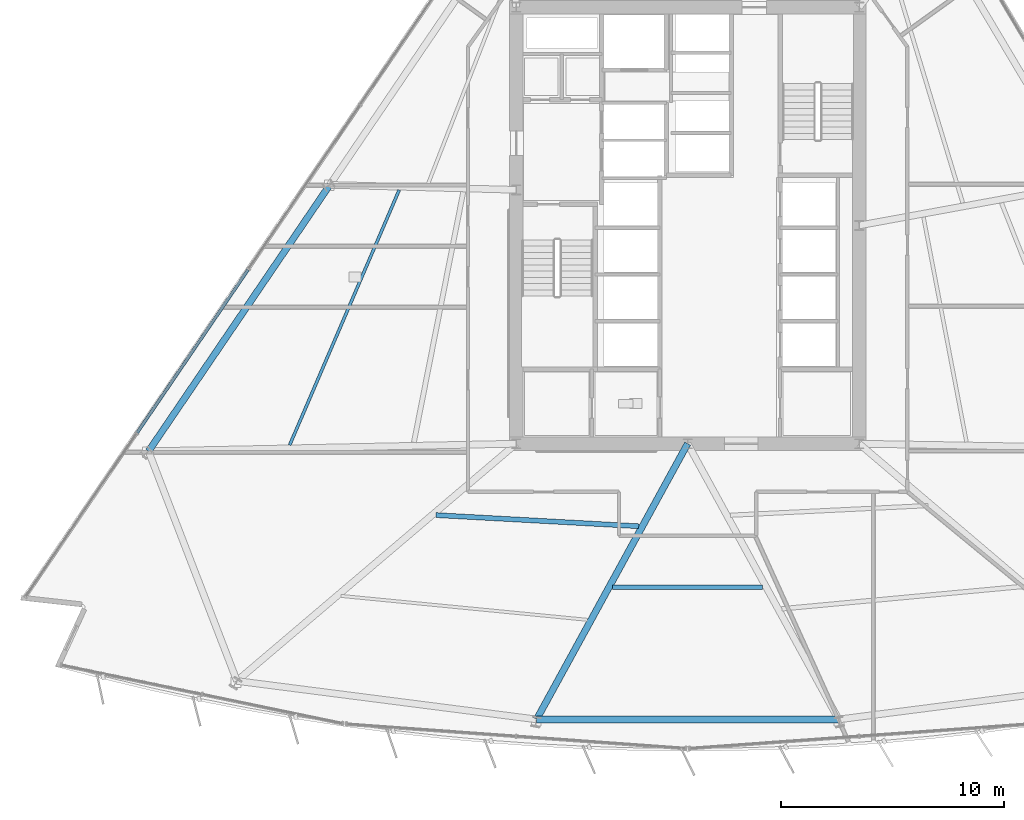
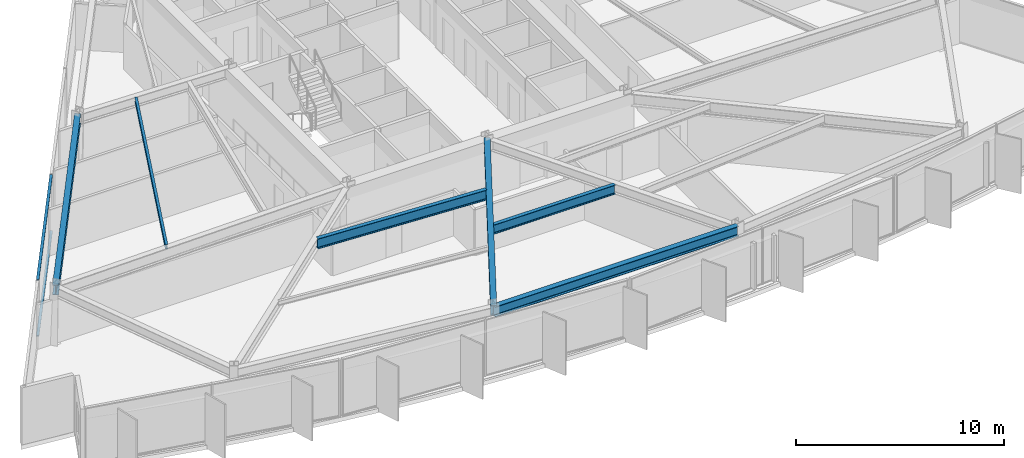
# One storey, part 3 of 16: 6 beams, 2 members, 1 element without a shape of its own.
"""IFC4 building model written with IfcOpenShell, lengths in metres."""

from ifc_helpers import new_model, si_unit, direction, frame, origin, origin_2d, place, context, subcontext, project, spatial, rectangle, i_section, extrude, material, material_profile, profile_set, type_object, element, aggregate, save


model = new_model("IFC4")

# Units and contexts
model_context = context("Model", 3, precision=1e-05, world=origin(), true_north=direction((0.0, 1.0)))
body_context = subcontext(model_context, "Body", "Model", "MODEL_VIEW")
ifc_project = project(units=[si_unit("LENGTHUNIT", "METRE"), si_unit("AREAUNIT", "SQUARE_METRE"), si_unit("VOLUMEUNIT", "CUBIC_METRE"), si_unit("PLANEANGLEUNIT", "RADIAN"), si_unit("MASSUNIT", "GRAM", prefix="KILO")], contexts=[model_context])

# Site, building, storey
site_placement = place(None, origin())
site = spatial("IfcSite", under=ifc_project, at=site_placement, CompositionType="ELEMENT")
building_placement = place(site_placement, origin())
building = spatial("IfcBuilding", under=site, at=building_placement, Name="Savorim Split Tower", CompositionType="ELEMENT")
storey_placement = place(building_placement, frame((0.0, 0.0, 30.0)))
storey = spatial("IfcBuildingStorey", under=building, at=storey_placement, Name="L07", CompositionType="ELEMENT", Elevation=30.0)

# Beams
ifc_material_1 = material(Name="Steel S355", Category="steel")
ifc_material_profile_1 = material_profile(ifc_material_1, i_section(OverallWidth=0.135009765625, OverallDepth=0.27001953125, WebThickness=0.006591796875, FlangeThickness=0.01025390625, FilletRadius=0.014892578125, at=origin_2d()), Name="IPE 270")
ifc_profile_set_1 = profile_set([ifc_material_profile_1], Name="Steel S355")
beam_type_1 = type_object("IfcBeamType", Name="BM-JST-IPE270", PredefinedType="JOIST", material=ifc_profile_set_1)
beam_1_placement = place(storey_placement, frame((-12.9501953125, 1.99072265625, 3.215087890625), z_axis=(-0.394590505856, -0.918857079577, 0.0), x_axis=(0.918857079577, -0.394590505856, 0.0)))
element("IfcBeam", 1, at=beam_1_placement, inside=storey, type_object=beam_type_1, Name="L07 Secondary Floor Joist JS-10", PredefinedType="JOIST", context=body_context, shape_type="SweptSolid", body=[
    extrude(i_section(OverallWidth=0.135009765625, OverallDepth=0.27001953125, WebThickness=0.006591796875, FlangeThickness=0.01025390625, FilletRadius=0.014892578125, at=origin_2d()), origin(), (0.0, 0.0, 1.0), 12.46533203125),
])
ifc_material_profile_2 = material_profile(ifc_material_1, i_section(OverallWidth=0.2099609375, OverallDepth=0.550048828125, WebThickness=0.010986328125, FlangeThickness=0.01708984375, FilletRadius=0.02392578125, at=origin_2d()), Name="IPE 550")
ifc_profile_set_2 = profile_set([ifc_material_profile_2], Name="Steel S355")
beam_type_2 = type_object("IfcBeamType", Name="BM-JST-IPE550", PredefinedType="JOIST", material=ifc_profile_set_2)
beam_2_placement = place(storey_placement, frame((-3.36669921875, -15.8369140625, 3.074951171875), z_axis=(1.0, 0.0, 0.0), x_axis=(0.0, 1.0, 0.0)))
element("IfcBeam", 2, at=beam_2_placement, inside=storey, type_object=beam_type_2, Name="L07 Secondary Floor Joist JS-03", PredefinedType="JOIST", context=body_context, shape_type="SweptSolid", body=[
    extrude(i_section(OverallWidth=0.2099609375, OverallDepth=0.550048828125, WebThickness=0.010986328125, FlangeThickness=0.01708984375, FilletRadius=0.02392578125, at=origin_2d()), origin(), (0.0, 0.0, 1.0), 6.7333984375),
])
ifc_material_profile_3 = material_profile(ifc_material_1, i_section(OverallWidth=0.219970703125, OverallDepth=0.60009765625, WebThickness=0.011962890625, FlangeThickness=0.01904296875, FilletRadius=0.02392578125, at=origin_2d()), Name="IPE 600")
ifc_profile_set_3 = profile_set([ifc_material_profile_3], Name="Steel S355")
beam_type_3 = type_object("IfcBeamType", Name="BM-JST-IPE600", PredefinedType="JOIST", material=ifc_profile_set_3)
beam_3_placement = place(storey_placement, frame((-11.301025390625, -12.604248046875, 3.050048828125), z_axis=(0.998493204469, -0.054875501171, 0.0), x_axis=(0.054875501171, 0.998493204469, 0.0)))
element("IfcBeam", 3, at=beam_3_placement, inside=storey, type_object=beam_type_3, Name="L07 Secondary Floor Joist JS-02", PredefinedType="JOIST", context=body_context, shape_type="SweptSolid", body=[
    extrude(i_section(OverallWidth=0.219970703125, OverallDepth=0.60009765625, WebThickness=0.011962890625, FlangeThickness=0.01904296875, FilletRadius=0.02392578125, at=origin_2d()), origin(), (0.0, 0.0, 1.0), 9.120361328125),
])
ifc_material_profile_4 = material_profile(ifc_material_1, i_section(OverallWidth=0.300048828125, OverallDepth=0.60009765625, WebThickness=0.015380859375, FlangeThickness=0.030029296875, FilletRadius=0.027099609375, at=origin_2d()), Name="HEB 600")
ifc_profile_set_4 = profile_set([ifc_material_profile_4], Name="Steel S355")
beam_type_4 = type_object("IfcBeamType", Name="BM-PRI-HEB600", PredefinedType="BEAM", material=ifc_profile_set_4)
beam_4_placement = place(storey_placement, frame((-6.781982421875, -21.778564453125, 3.050048828125), z_axis=(0.480488547232, 0.877001001127, 0.0), x_axis=(-0.877001001127, 0.480488547232, 0.0)))
element("IfcBeam", 4, at=beam_4_placement, inside=storey, type_object=beam_type_4, Name="L07 Primary Floor Girder RG-02", PredefinedType="BEAM", context=body_context, shape_type="SweptSolid", body=[
    extrude(i_section(OverallWidth=0.300048828125, OverallDepth=0.60009765625, WebThickness=0.015380859375, FlangeThickness=0.030029296875, FilletRadius=0.027099609375, at=origin_2d()), origin(), (0.0, 0.0, 1.0), 14.11474609375),
])
ifc_material_profile_5 = material_profile(ifc_material_1, i_section(OverallWidth=0.300048828125, OverallDepth=0.590087890625, WebThickness=0.012939453125, FlangeThickness=0.02490234375, FilletRadius=0.027099609375, at=origin_2d()), Name="HEA 600")
ifc_profile_set_5 = profile_set([ifc_material_profile_5], Name="Steel S355")
beam_type_5 = type_object("IfcBeamType", Name="BM-SPN-HEA600", PredefinedType="SPANDREL", material=ifc_profile_set_5)
beam_5_placement = place(storey_placement, frame((-6.781982421875, -21.778564453125, 3.054931640625), z_axis=(1.0, 0.0, 0.0), x_axis=(0.0, 1.0, 0.0)))
element("IfcBeam", 5, at=beam_5_placement, inside=storey, type_object=beam_type_5, Name="L07 Perimeter Spandrel Beam 2", PredefinedType="SPANDREL", context=body_context, shape_type="SweptSolid", body=[
    extrude(i_section(OverallWidth=0.300048828125, OverallDepth=0.590087890625, WebThickness=0.012939453125, FlangeThickness=0.02490234375, FilletRadius=0.027099609375, at=origin_2d()), origin(), (0.0, 0.0, 1.0), 13.56396484375),
])
beam_6_placement = place(storey_placement, frame((-16.06640625, 2.22216796875, 3.054931640625), z_axis=(-0.562468802964, -0.826818508315, 0.0), x_axis=(0.826818508315, -0.562468802964, 0.0)))
element("IfcBeam", 6, at=beam_6_placement, inside=storey, type_object=beam_type_5, Name="L07 Perimeter Spandrel Beam 9", PredefinedType="SPANDREL", context=body_context, shape_type="SweptSolid", body=[
    extrude(i_section(OverallWidth=0.300048828125, OverallDepth=0.590087890625, WebThickness=0.012939453125, FlangeThickness=0.02490234375, FilletRadius=0.027099609375, at=origin_2d()), origin(), (0.0, 0.0, 1.0), 14.466552734375),
])

# Curtain wall, members
ifc_material_2 = material(Name="Dark Ceramic-Fritted Insulated Glass", Category="glass")
curtain_wall_type = type_object("IfcCurtainWallType", Name="CW-TWR-FRIT-A", PredefinedType="NOTDEFINED", material=ifc_material_2)
curtain_wall_placement = place(storey_placement, origin())
curtain_wall = element("IfcCurtainWall", 7, at=curtain_wall_placement, inside=storey, type_object=curtain_wall_type, Name="L07 Curtain Wall CW-L07-WEST", PredefinedType="NOTDEFINED")
ifc_material_3 = material(Name="Charcoal Anodised Aluminium", Category="aluminium")
ifc_material_profile_6 = material_profile(ifc_material_3, rectangle(XDim=0.139892578125, YDim=0.054931640625, at=origin_2d()), Name="ALU-T 140x55")
ifc_profile_set_6 = profile_set([ifc_material_profile_6], Name="Charcoal Anodised Aluminium")
member_type = type_object("IfcMemberType", Name="CWT-140x55", PredefinedType="USERDEFINED", material=ifc_profile_set_6)
member_1_placement = place(storey_placement, frame((-19.736328125, -1.5859375, 0.027587890625), z_axis=(-0.562463858464, -0.826821871942, 0.0), x_axis=(0.826821871942, -0.562463858464, 0.0)))
member_1 = element("IfcMember", 8, at=member_1_placement, type_object=member_type, Name="CW-02 transom 3.1", ObjectType="TRANSOM", PredefinedType="USERDEFINED", context=body_context, shape_type="SweptSolid", body=[
    extrude(rectangle(XDim=0.139892578125, YDim=0.054931640625, at=origin_2d()), origin(), (0.0, 0.0, 1.0), 8.854736328125),
])
member_2_placement = place(storey_placement, frame((-19.736328125, -1.5859375, 3.322509765625), z_axis=(-0.562463858464, -0.826821871942, 0.0), x_axis=(0.826821871942, -0.562463858464, 0.0)))
member_2 = element("IfcMember", 9, at=member_2_placement, type_object=member_type, Name="CW-02 transom 3.2", ObjectType="TRANSOM", PredefinedType="USERDEFINED", context=body_context, shape_type="SweptSolid", body=[
    extrude(rectangle(XDim=0.139892578125, YDim=0.054931640625, at=origin_2d()), origin(), (0.0, 0.0, 1.0), 8.854736328125),
])
aggregate(curtain_wall, [member_1, member_2])

save(model, "model.ifc")
